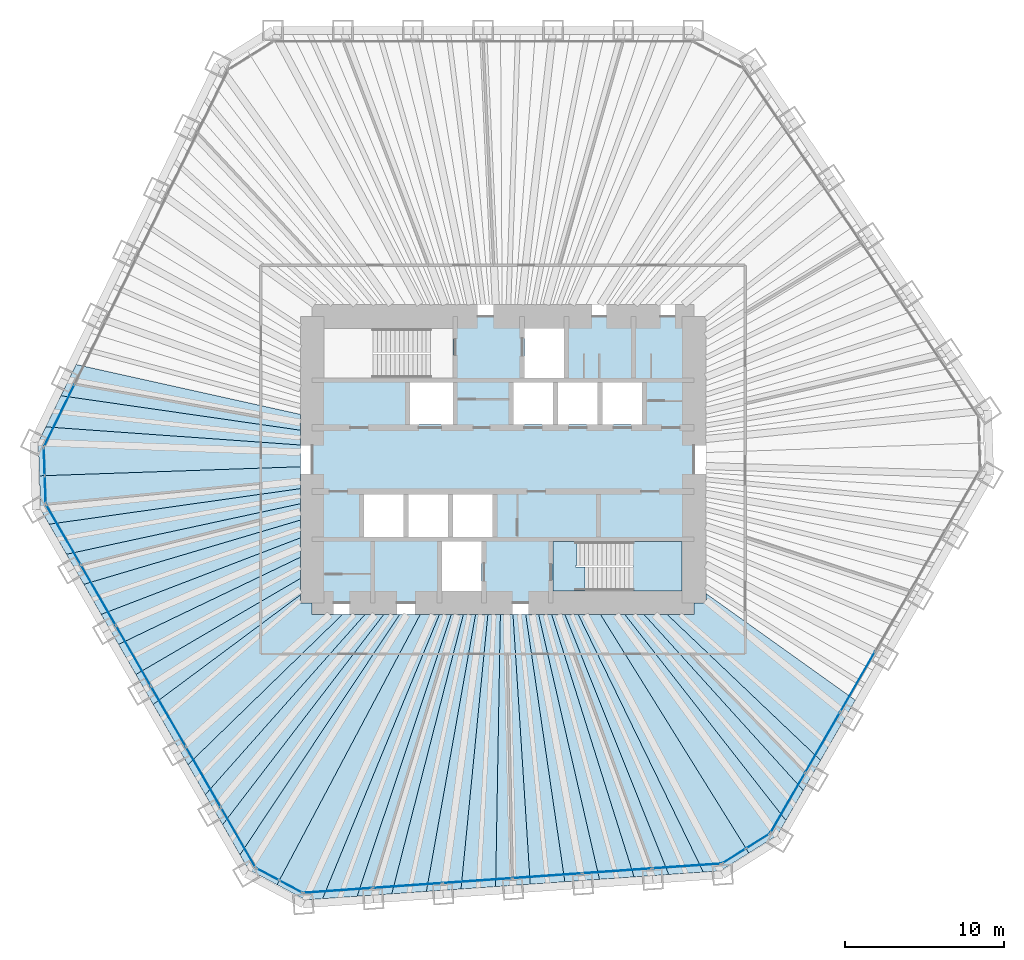
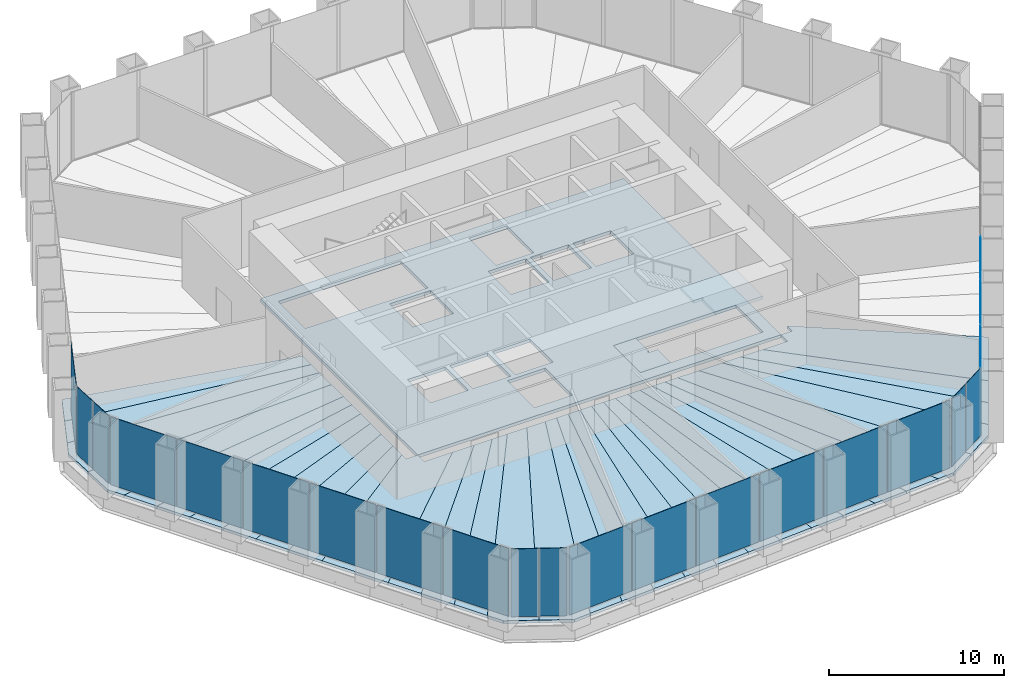
# One storey, part 8 of 13: 35 slabs, 22 plates, 8 elements without a shape of their own.
"""IFC4 building model written with IfcOpenShell, lengths in metres."""

import ifcopenshell
import ifcopenshell.guid

model = None  # the IFC model being written
_history = None  # IfcOwnerHistory: only IFC2X3 demands one
_inside = {}  # id of a spatial element -> (the spatial element, [elements in it])
_under = {}  # id of a project, library or spatial element -> (it, [spatial elements below it])
_declared = {}  # id of a project -> (the project, [libraries it declares])
_typed = {}  # id of a type object -> (the type object, [elements of that type])
_made_of = {}  # id of a material, layer set ... -> (it, [elements and type objects made of it])


def new_model(schema):
    """Start an empty IFC model of exactly this schema.

    Asked for "IFC4X3", IfcOpenShell would pick the latest addendum, in which some entities
    have other attributes; the version numbers below select the first issue.
    IFC2X3 requires an IfcOwnerHistory on every rooted entity: one is made here for all.
    """
    global model, _history
    if schema == "IFC4X3":
        model = ifcopenshell.file(schema_version=(4, 3, 0, 0))
    else:
        model = ifcopenshell.file(schema=schema)
    _inside.clear()
    _under.clear()
    _declared.clear()
    _typed.clear()
    _made_of.clear()
    _history = None
    if model.schema == "IFC2X3":
        org = make("IfcOrganization", Name="unknown")
        user = make(
            "IfcPersonAndOrganization",
            ThePerson=make("IfcPerson", FamilyName="unknown"),
            TheOrganization=org,
        )
        app = make(
            "IfcApplication",
            ApplicationDeveloper=org,
            Version="unknown",
            ApplicationFullName="unknown",
            ApplicationIdentifier="unknown",
        )
        _history = make(
            "IfcOwnerHistory",
            OwningUser=user,
            OwningApplication=app,
            ChangeAction="ADDED",
            CreationDate=0,
        )
    return model


def make(cls, **values):
    """One entity of the class cls with the attributes given. An attribute that is None is left unset."""
    return model.create_entity(
        cls, **{name: value for name, value in values.items() if value is not None}
    )


def rooted(cls, **values):
    """An entity with a GlobalId (a new one), such as an element, a storey or a relation."""
    return make(cls, GlobalId=ifcopenshell.guid.new(), OwnerHistory=_history, **values)


def si_unit(unit_type, name, prefix=None):
    """IfcSIUnit, for example si_unit("LENGTHUNIT", "METRE", prefix="MILLI")."""
    return make("IfcSIUnit", UnitType=unit_type, Prefix=prefix, Name=name)


def assignment(units):
    """IfcUnitAssignment: the units of a project."""
    return None if units is None else make("IfcUnitAssignment", Units=units)


def point(xyz):
    """IfcCartesianPoint."""
    return None if xyz is None else make("IfcCartesianPoint", Coordinates=xyz)


def direction(xyz):
    """IfcDirection."""
    return None if xyz is None else make("IfcDirection", DirectionRatios=xyz)


def frame(location, z_axis=None, x_axis=None):
    """IfcAxis2Placement3D, a coordinate frame: its origin and axes. An axis left out is left unset."""
    return make(
        "IfcAxis2Placement3D",
        Location=point(location),
        Axis=direction(z_axis),
        RefDirection=direction(x_axis),
    )


def frame_2d(location, x_axis=None):
    """IfcAxis2Placement2D, a coordinate frame in the plane: its origin and x axis."""
    return make(
        "IfcAxis2Placement2D", Location=point(location), RefDirection=direction(x_axis)
    )


def origin():
    """The frame at (0, 0, 0) with its axes left unset."""
    return frame((0.0, 0.0, 0.0))


def origin_2d():
    """The frame at (0, 0) in the plane with its x axis left unset."""
    return frame_2d((0.0, 0.0))


def place(relative_to, where):
    """IfcLocalPlacement: puts the frame where relative to a parent placement (None: the world)."""
    return make(
        "IfcLocalPlacement", PlacementRelTo=relative_to, RelativePlacement=where
    )


def context(
    kind, dimensions, precision=None, world=None, true_north=None, identifier=None
):
    """IfcGeometricRepresentationContext, for example the 3D "Model" context."""
    return make(
        "IfcGeometricRepresentationContext",
        ContextIdentifier=identifier,
        ContextType=kind,
        CoordinateSpaceDimension=dimensions,
        Precision=precision,
        WorldCoordinateSystem=world,
        TrueNorth=true_north,
    )


def subcontext(parent, identifier, kind, view, scale=None):
    """IfcGeometricRepresentationSubContext, for example "Body" below "Model"."""
    return make(
        "IfcGeometricRepresentationSubContext",
        ContextIdentifier=identifier,
        ContextType=kind,
        ParentContext=parent,
        TargetScale=scale,
        TargetView=view,
    )


def project(units=None, contexts=None):
    """IfcProject with its units and contexts."""
    return rooted(
        "IfcProject",
        Name="project",
        RepresentationContexts=contexts,
        UnitsInContext=assignment(units),
    )


def spatial(cls, under=None, at=None, **own):
    """A site, building, storey or space (cls), placed at a placement, below another one or the project."""
    s = rooted(cls, ObjectPlacement=at, **own)
    if under is not None:
        _under.setdefault(under.id(), (under, []))[1].append(s)
    return s


def polyline(points):
    """IfcPolyline through the points."""
    return make("IfcPolyline", Points=[point(p) for p in points])


def profile(cls, at=None, kind="AREA", **sizes):
    """A parametric profile (cls). Its sizes go by their IFC names, for example OverallWidth=200.0."""
    return make(cls, ProfileType=kind, Position=at, **sizes)


def rectangle(**sizes):
    """IfcRectangleProfileDef."""
    return profile("IfcRectangleProfileDef", **sizes)


def outline(outer, holes=None, kind="AREA"):
    """IfcArbitraryClosedProfileDef: a profile drawn as a closed curve; with holes, ...WithVoids."""
    if holes is None:
        return make("IfcArbitraryClosedProfileDef", ProfileType=kind, OuterCurve=outer)
    return make(
        "IfcArbitraryProfileDefWithVoids",
        ProfileType=kind,
        OuterCurve=outer,
        InnerCurves=holes,
    )


def extrude(swept, where, along, depth):
    """IfcExtrudedAreaSolid: the profile swept, set in the frame where, extruded along a direction by depth."""
    return make(
        "IfcExtrudedAreaSolid",
        SweptArea=swept,
        Position=where,
        ExtrudedDirection=direction(along),
        Depth=depth,
    )


def shape(context_of_items, identifier, shape_type, items):
    """IfcShapeRepresentation: the items that make up one representation, for example the "Body"."""
    return make(
        "IfcShapeRepresentation",
        ContextOfItems=context_of_items,
        RepresentationIdentifier=identifier,
        RepresentationType=shape_type,
        Items=items,
    )


def material(Name=None, Category=None):
    """IfcMaterial."""
    return make("IfcMaterial", Name=Name, Category=Category)


def layer(
    of_material, thickness, ventilated=None, Name=None, Category=None, Priority=None
):
    """IfcMaterialLayer: one layer of a wall or slab, of a material (None: an air gap)."""
    return make(
        "IfcMaterialLayer",
        Material=of_material,
        LayerThickness=thickness,
        IsVentilated=ventilated,
        Name=Name,
        Category=Category,
        Priority=Priority,
    )


def layer_set(layers, Name=None):
    """IfcMaterialLayerSet."""
    return make("IfcMaterialLayerSet", MaterialLayers=layers, LayerSetName=Name)


def made_of(thing, what):
    """Note that an element or type object is made of a material, layer set ...; save() writes the relation."""
    if what is not None:
        _made_of.setdefault(what.id(), (what, []))[1].append(thing)
    return thing


def type_object(cls, material=None, **own):
    """A type object (cls), such as IfcWallType, which elements share."""
    return made_of(rooted(cls, **own), material)


def element(
    cls,
    number,
    at=None,
    inside=None,
    cuts=None,
    type_object=None,
    material=None,
    context=None,
    identifier="Body",
    shape_type=None,
    held_by="IfcProductDefinitionShape",
    body=None,
    shapes=None,
    **own,
):
    """One element of the class cls, such as IfcWall. Its Tag is "e" and its number.

    at: its placement. inside: the storey or other place that contains it. cuts: it is an
    opening in that element (IfcRelVoidsElement). A single representation is given by context,
    identifier, shape_type and body (its items); several are given by shapes. held_by: the class
    of the entity that holds the representations. save() writes the other relations.
    """
    e = rooted(cls, Tag="e%d" % number, ObjectPlacement=at, **own)
    if body is not None:
        shapes = [shape(context, identifier, shape_type, body)]
    if shapes is not None:
        e.Representation = make(held_by, Representations=shapes)
    if inside is not None:
        _inside.setdefault(inside.id(), (inside, []))[1].append(e)
    if cuts is not None:
        rooted(
            "IfcRelVoidsElement", RelatingBuildingElement=cuts, RelatedOpeningElement=e
        )
    if type_object is not None:
        _typed.setdefault(type_object.id(), (type_object, []))[1].append(e)
    return made_of(e, material)


def aggregate(whole, parts):
    """IfcRelAggregates: a whole, such as a stair, and the parts it consists of."""
    return rooted("IfcRelAggregates", RelatingObject=whole, RelatedObjects=parts)


def save(model, path):
    """Write the relations noted so far, then the file.

    IfcRelAggregates (storeys below a building ...), IfcRelContainedInSpatialStructure (elements
    in a storey), IfcRelDefinesByType, IfcRelAssociatesMaterial and IfcRelDeclares: one each for
    every whole, place, type object, material and project.
    """
    for whole, parts in _under.values():
        aggregate(whole, parts)
    for where, things in _inside.values():
        rooted(
            "IfcRelContainedInSpatialStructure",
            RelatedElements=things,
            RelatingStructure=where,
        )
    for kind, things in _typed.values():
        rooted("IfcRelDefinesByType", RelatedObjects=things, RelatingType=kind)
    for what, things in _made_of.values():
        rooted("IfcRelAssociatesMaterial", RelatedObjects=things, RelatingMaterial=what)
    for by, libraries in _declared.values():
        rooted("IfcRelDeclares", RelatingContext=by, RelatedDefinitions=libraries)
    model.write(path)


model = new_model("IFC4")

# Units and contexts
model_context = context("Model", 3, precision=1e-05, world=origin(), true_north=direction((0.0, 1.0)))
body_context = subcontext(model_context, "Body", "Model", "MODEL_VIEW")
ifc_project = project(units=[si_unit("LENGTHUNIT", "METRE"), si_unit("AREAUNIT", "SQUARE_METRE"), si_unit("VOLUMEUNIT", "CUBIC_METRE"), si_unit("PLANEANGLEUNIT", "RADIAN"), si_unit("MASSUNIT", "GRAM", prefix="KILO")], contexts=[model_context])

# Site, building, storey
site_placement = place(None, origin())
site = spatial("IfcSite", under=ifc_project, at=site_placement, CompositionType="ELEMENT")
building_placement = place(site_placement, origin())
building = spatial("IfcBuilding", under=site, at=building_placement, Name="Qingtian Harvest Tower", CompositionType="ELEMENT")
storey_placement = place(building_placement, frame((0.0, 0.0, 27.0)))
storey = spatial("IfcBuildingStorey", under=building, at=storey_placement, Name="L05", CompositionType="ELEMENT", Elevation=27.0)

# Slabs
ifc_material_1 = material(Name="Concrete fc' 35 MPa", Category="concrete")
ifc_layer_1 = layer(ifc_material_1, 0.199951171875)
ifc_layer_set_1 = layer_set([ifc_layer_1], Name="Composite floor slab FS20 200")
slab_type_1 = type_object("IfcSlabType", Name="Composite floor slab FS20 200", PredefinedType="FLOOR", material=ifc_layer_set_1)
slab_1_placement = place(storey_placement, frame((0.0, 0.0, -0.199951171875)))
element("IfcSlab", 1, at=slab_1_placement, inside=storey, type_object=slab_type_1, Name="Floor slab L05 panel D01", PredefinedType="FLOOR", context=body_context, shape_type="SweptSolid", body=[
    extrude(outline(polyline([(-29.157470703125, -1.018310546875), (-12.75, -0.447509765625), (-12.75, -1.822998046875), (-28.548583984375, -4.062255859375), (-29.08349609375, -3.135986328125), (-29.157470703125, -1.018310546875)])), origin(), (0.0, 0.0, 1.0), 0.199951171875),
])
slab_2_placement = place(storey_placement, frame((0.0, 0.0, -0.199951171875)))
element("IfcSlab", 2, at=slab_2_placement, inside=storey, type_object=slab_type_1, Name="Floor slab L05 panel D02", PredefinedType="FLOOR", context=body_context, shape_type="SweptSolid", body=[
    extrude(outline(polyline([(-12.75, -2.773681640625), (-27.45751953125, -5.9521484375), (-28.548583984375, -4.062255859375), (-12.75, -1.822998046875), (-12.75, -2.773681640625)])), origin(), (0.0, 0.0, 1.0), 0.199951171875),
])
slab_3_placement = place(storey_placement, frame((0.0, 0.0, -0.199951171875)))
element("IfcSlab", 3, at=slab_3_placement, inside=storey, type_object=slab_type_1, Name="Floor slab L05 panel D03", PredefinedType="FLOOR", context=body_context, shape_type="SweptSolid", body=[
    extrude(outline(polyline([(-12.75, -3.80322265625), (-26.366455078125, -7.842041015625), (-27.45751953125, -5.9521484375), (-12.75, -2.773681640625), (-12.75, -3.80322265625)])), origin(), (0.0, 0.0, 1.0), 0.199951171875),
])
slab_4_placement = place(storey_placement, frame((0.0, 0.0, -0.199951171875)))
element("IfcSlab", 4, at=slab_4_placement, inside=storey, type_object=slab_type_1, Name="Floor slab L05 panel D04", PredefinedType="FLOOR", context=body_context, shape_type="SweptSolid", body=[
    extrude(outline(polyline([(-12.75, -4.921875), (-25.275146484375, -9.732177734375), (-26.366455078125, -7.842041015625), (-12.75, -3.80322265625), (-12.75, -4.921875)])), origin(), (0.0, 0.0, 1.0), 0.199951171875),
])
slab_5_placement = place(storey_placement, frame((0.0, 0.0, -0.199951171875)))
element("IfcSlab", 5, at=slab_5_placement, inside=storey, type_object=slab_type_1, Name="Floor slab L05 panel D05", PredefinedType="FLOOR", context=body_context, shape_type="SweptSolid", body=[
    extrude(outline(polyline([(-12.75, -6.141357421875), (-24.18408203125, -11.6220703125), (-25.275146484375, -9.732177734375), (-12.75, -4.921875), (-12.75, -6.141357421875)])), origin(), (0.0, 0.0, 1.0), 0.199951171875),
])
slab_6_placement = place(storey_placement, frame((0.0, 0.0, -0.199951171875)))
element("IfcSlab", 6, at=slab_6_placement, inside=storey, type_object=slab_type_1, Name="Floor slab L05 panel D06", PredefinedType="FLOOR", context=body_context, shape_type="SweptSolid", body=[
    extrude(outline(polyline([(-12.75, -7.4765625), (-23.0927734375, -13.511962890625), (-24.18408203125, -11.6220703125), (-12.75, -6.141357421875), (-12.75, -7.4765625)])), origin(), (0.0, 0.0, 1.0), 0.199951171875),
])
slab_7_placement = place(storey_placement, frame((0.0, 0.0, -0.199951171875)))
element("IfcSlab", 7, at=slab_7_placement, inside=storey, type_object=slab_type_1, Name="Floor slab L05 panel D07", PredefinedType="FLOOR", context=body_context, shape_type="SweptSolid", body=[
    extrude(outline(polyline([(-12.75, -8.512451171875), (-22.00537109375, -15.3955078125), (-23.0927734375, -13.511962890625), (-12.75, -7.4765625), (-12.75, -8.512451171875)])), origin(), (0.0, 0.0, 1.0), 0.199951171875),
])
slab_8_placement = place(storey_placement, frame((0.0, 0.0, -0.199951171875)))
element("IfcSlab", 8, at=slab_8_placement, inside=storey, type_object=slab_type_1, Name="Floor slab L05 panel D09", PredefinedType="FLOOR", context=body_context, shape_type="SweptSolid", body=[
    extrude(outline(polyline([(-19.81982421875, -19.18115234375), (-22.00537109375, -15.3955078125), (-12.75, -8.512451171875), (-12.75, -9.0), (-12.0, -9.0), (-12.0, -9.75), (-10.1123046875, -9.75), (-19.81982421875, -19.18115234375)])), origin(), (0.0, 0.0, 1.0), 0.199951171875),
])
slab_9_placement = place(storey_placement, frame((0.0, 0.0, -0.199951171875)))
element("IfcSlab", 9, at=slab_9_placement, inside=storey, type_object=slab_type_1, Name="Floor slab L05 panel D10", PredefinedType="FLOOR", context=body_context, shape_type="SweptSolid", body=[
    extrude(outline(polyline([(-8.694580078125, -9.75), (-18.728515625, -21.0712890625), (-19.81982421875, -19.18115234375), (-10.1123046875, -9.75), (-8.694580078125, -9.75)])), origin(), (0.0, 0.0, 1.0), 0.199951171875),
])
slab_10_placement = place(storey_placement, frame((0.0, 0.0, -0.199951171875)))
element("IfcSlab", 10, at=slab_10_placement, inside=storey, type_object=slab_type_1, Name="Floor slab L05 panel D11", PredefinedType="FLOOR", context=body_context, shape_type="SweptSolid", body=[
    extrude(outline(polyline([(-7.511474609375, -9.75), (-17.63720703125, -22.961181640625), (-18.728515625, -21.0712890625), (-8.694580078125, -9.75), (-7.511474609375, -9.75)])), origin(), (0.0, 0.0, 1.0), 0.199951171875),
])
slab_11_placement = place(storey_placement, frame((0.0, 0.0, -0.199951171875)))
element("IfcSlab", 11, at=slab_11_placement, inside=storey, type_object=slab_type_1, Name="Floor slab L05 panel D12", PredefinedType="FLOOR", context=body_context, shape_type="SweptSolid", body=[
    extrude(outline(polyline([(-6.509033203125, -9.75), (-16.546142578125, -24.851318359375), (-17.63720703125, -22.961181640625), (-7.511474609375, -9.75), (-6.509033203125, -9.75)])), origin(), (0.0, 0.0, 1.0), 0.199951171875),
])
slab_12_placement = place(storey_placement, frame((0.0, 0.0, -0.199951171875)))
element("IfcSlab", 12, at=slab_12_placement, inside=storey, type_object=slab_type_1, Name="Floor slab L05 panel D13", PredefinedType="FLOOR", context=body_context, shape_type="SweptSolid", body=[
    extrude(outline(polyline([(-6.509033203125, -9.75), (-5.213623046875, -9.75), (-14.214599609375, -26.73291015625), (-16.01123046875, -25.777587890625), (-16.546142578125, -24.851318359375), (-6.509033203125, -9.75)])), origin(), (0.0, 0.0, 1.0), 0.199951171875),
])
slab_13_placement = place(storey_placement, frame((0.0, 0.0, -0.199951171875)))
element("IfcSlab", 13, at=slab_13_placement, inside=storey, type_object=slab_type_1, Name="Floor slab L05 panel D14", PredefinedType="FLOOR", context=body_context, shape_type="SweptSolid", body=[
    extrude(outline(polyline([(-5.213623046875, -9.75), (-4.006591796875, -9.75), (-11.350341796875, -27.614013671875), (-12.417236328125, -27.688720703125), (-14.214599609375, -26.73291015625), (-5.213623046875, -9.75)])), origin(), (0.0, 0.0, 1.0), 0.199951171875),
])
slab_14_placement = place(storey_placement, frame((0.0, 0.0, -0.199951171875)))
element("IfcSlab", 14, at=slab_14_placement, inside=storey, type_object=slab_type_1, Name="Floor slab L05 panel D15", PredefinedType="FLOOR", context=body_context, shape_type="SweptSolid", body=[
    extrude(outline(polyline([(-3.255859375, -9.75), (-9.17333984375, -27.4619140625), (-11.350341796875, -27.614013671875), (-4.006591796875, -9.75), (-3.255859375, -9.75)])), origin(), (0.0, 0.0, 1.0), 0.199951171875),
])
slab_15_placement = place(storey_placement, frame((0.0, 0.0, -0.199951171875)))
element("IfcSlab", 15, at=slab_15_placement, inside=storey, type_object=slab_type_1, Name="Floor slab L05 panel D16", PredefinedType="FLOOR", context=body_context, shape_type="SweptSolid", body=[
    extrude(outline(polyline([(-2.496826171875, -9.75), (-6.996337890625, -27.3095703125), (-9.17333984375, -27.4619140625), (-3.255859375, -9.75), (-2.496826171875, -9.75)])), origin(), (0.0, 0.0, 1.0), 0.199951171875),
])
slab_16_placement = place(storey_placement, frame((0.0, 0.0, -0.199951171875)))
element("IfcSlab", 16, at=slab_16_placement, inside=storey, type_object=slab_type_1, Name="Floor slab L05 panel D17", PredefinedType="FLOOR", context=body_context, shape_type="SweptSolid", body=[
    extrude(outline(polyline([(-1.729248046875, -9.75), (-4.8193359375, -27.1572265625), (-6.996337890625, -27.3095703125), (-2.496826171875, -9.75), (-1.729248046875, -9.75)])), origin(), (0.0, 0.0, 1.0), 0.199951171875),
])
slab_17_placement = place(storey_placement, frame((0.0, 0.0, -0.199951171875)))
element("IfcSlab", 17, at=slab_17_placement, inside=storey, type_object=slab_type_1, Name="Floor slab L05 panel D18", PredefinedType="FLOOR", context=body_context, shape_type="SweptSolid", body=[
    extrude(outline(polyline([(-0.952880859375, -9.75), (-2.642333984375, -27.005126953125), (-4.8193359375, -27.1572265625), (-1.729248046875, -9.75), (-0.952880859375, -9.75)])), origin(), (0.0, 0.0, 1.0), 0.199951171875),
])
slab_18_placement = place(storey_placement, frame((0.0, 0.0, -0.199951171875)))
element("IfcSlab", 18, at=slab_18_placement, inside=storey, type_object=slab_type_1, Name="Floor slab L05 panel D19", PredefinedType="FLOOR", context=body_context, shape_type="SweptSolid", body=[
    extrude(outline(polyline([(-0.16796875, -9.75), (-0.46533203125, -26.852783203125), (-2.642333984375, -27.005126953125), (-0.952880859375, -9.75), (-0.16796875, -9.75)])), origin(), (0.0, 0.0, 1.0), 0.199951171875),
])
slab_19_placement = place(storey_placement, frame((0.0, 0.0, -0.199951171875)))
element("IfcSlab", 19, at=slab_19_placement, inside=storey, type_object=slab_type_1, Name="Floor slab L05 panel D20", PredefinedType="FLOOR", context=body_context, shape_type="SweptSolid", body=[
    extrude(outline(polyline([(0.626220703125, -9.75), (1.711669921875, -26.70068359375), (-0.46533203125, -26.852783203125), (-0.16796875, -9.75), (0.626220703125, -9.75)])), origin(), (0.0, 0.0, 1.0), 0.199951171875),
])
slab_20_placement = place(storey_placement, frame((0.0, 0.0, -0.199951171875)))
element("IfcSlab", 20, at=slab_20_placement, inside=storey, type_object=slab_type_1, Name="Floor slab L05 panel D21", PredefinedType="FLOOR", context=body_context, shape_type="SweptSolid", body=[
    extrude(outline(polyline([(1.42919921875, -9.75), (3.888671875, -26.54833984375), (1.711669921875, -26.70068359375), (0.626220703125, -9.75), (1.42919921875, -9.75)])), origin(), (0.0, 0.0, 1.0), 0.199951171875),
])
slab_21_placement = place(storey_placement, frame((0.0, 0.0, -0.199951171875)))
element("IfcSlab", 21, at=slab_21_placement, inside=storey, type_object=slab_type_1, Name="Floor slab L05 panel D22", PredefinedType="FLOOR", context=body_context, shape_type="SweptSolid", body=[
    extrude(outline(polyline([(2.24169921875, -9.75), (6.065673828125, -26.396240234375), (3.888671875, -26.54833984375), (1.42919921875, -9.75), (2.24169921875, -9.75)])), origin(), (0.0, 0.0, 1.0), 0.199951171875),
])
slab_22_placement = place(storey_placement, frame((0.0, 0.0, -0.199951171875)))
element("IfcSlab", 22, at=slab_22_placement, inside=storey, type_object=slab_type_1, Name="Floor slab L05 panel D23", PredefinedType="FLOOR", context=body_context, shape_type="SweptSolid", body=[
    extrude(outline(polyline([(3.0634765625, -9.75), (8.24267578125, -26.243896484375), (6.065673828125, -26.396240234375), (2.24169921875, -9.75), (3.0634765625, -9.75)])), origin(), (0.0, 0.0, 1.0), 0.199951171875),
])
slab_23_placement = place(storey_placement, frame((0.0, 0.0, -0.199951171875)))
element("IfcSlab", 23, at=slab_23_placement, inside=storey, type_object=slab_type_1, Name="Floor slab L05 panel D24", PredefinedType="FLOOR", context=body_context, shape_type="SweptSolid", body=[
    extrude(outline(polyline([(3.894775390625, -9.75), (10.419677734375, -26.091796875), (8.24267578125, -26.243896484375), (3.0634765625, -9.75), (3.894775390625, -9.75)])), origin(), (0.0, 0.0, 1.0), 0.199951171875),
])
slab_24_placement = place(storey_placement, frame((0.0, 0.0, -0.199951171875)))
element("IfcSlab", 24, at=slab_24_placement, inside=storey, type_object=slab_type_1, Name="Floor slab L05 panel D25", PredefinedType="FLOOR", context=body_context, shape_type="SweptSolid", body=[
    extrude(outline(polyline([(4.736083984375, -9.75), (12.5966796875, -25.939453125), (10.419677734375, -26.091796875), (3.894775390625, -9.75), (4.736083984375, -9.75)])), origin(), (0.0, 0.0, 1.0), 0.199951171875),
])
slab_25_placement = place(storey_placement, frame((0.0, 0.0, -0.199951171875)))
element("IfcSlab", 25, at=slab_25_placement, inside=storey, type_object=slab_type_1, Name="Floor slab L05 panel D26", PredefinedType="FLOOR", context=body_context, shape_type="SweptSolid", body=[
    extrude(outline(polyline([(4.736083984375, -9.75), (6.136474609375, -9.75), (15.4609375, -24.74169921875), (13.663330078125, -25.864990234375), (12.5966796875, -25.939453125), (4.736083984375, -9.75)])), origin(), (0.0, 0.0, 1.0), 0.199951171875),
])
slab_26_placement = place(storey_placement, frame((0.0, 0.0, -0.199951171875)))
element("IfcSlab", 26, at=slab_26_placement, inside=storey, type_object=slab_type_1, Name="Floor slab L05 panel D27", PredefinedType="FLOOR", context=body_context, shape_type="SweptSolid", body=[
    extrude(outline(polyline([(6.136474609375, -9.75), (7.66748046875, -9.75), (17.79248046875, -22.692626953125), (17.257568359375, -23.618896484375), (15.4609375, -24.74169921875), (6.136474609375, -9.75)])), origin(), (0.0, 0.0, 1.0), 0.199951171875),
])
slab_27_placement = place(storey_placement, frame((0.0, 0.0, -0.199951171875)))
element("IfcSlab", 27, at=slab_27_placement, inside=storey, type_object=slab_type_1, Name="Floor slab L05 panel D28", PredefinedType="FLOOR", context=body_context, shape_type="SweptSolid", body=[
    extrude(outline(polyline([(8.88037109375, -9.75), (18.883544921875, -20.802734375), (17.79248046875, -22.692626953125), (7.66748046875, -9.75), (8.88037109375, -9.75)])), origin(), (0.0, 0.0, 1.0), 0.199951171875),
])
slab_28_placement = place(storey_placement, frame((0.0, 0.0, -0.199951171875)))
element("IfcSlab", 28, at=slab_28_placement, inside=storey, type_object=slab_type_1, Name="Floor slab L05 panel D29", PredefinedType="FLOOR", context=body_context, shape_type="SweptSolid", body=[
    extrude(outline(polyline([(10.337158203125, -9.75), (19.974853515625, -18.91259765625), (18.883544921875, -20.802734375), (8.88037109375, -9.75), (10.337158203125, -9.75)])), origin(), (0.0, 0.0, 1.0), 0.199951171875),
])
slab_29_placement = place(storey_placement, frame((0.0, 0.0, -0.199951171875)))
element("IfcSlab", 29, at=slab_29_placement, inside=storey, type_object=slab_type_1, Name="Floor slab L05 panel D31", PredefinedType="FLOOR", context=body_context, shape_type="SweptSolid", body=[
    extrude(outline(polyline([(12.75, -8.4091796875), (22.159423828125, -15.128662109375), (19.974853515625, -18.91259765625), (10.337158203125, -9.75), (12.0, -9.75), (12.0, -9.0), (12.75, -9.0), (12.75, -8.4091796875)])), origin(), (0.0, 0.0, 1.0), 0.199951171875),
])
slab_30_placement = place(storey_placement, frame((0.0, 0.0, -0.199951171875)))
element("IfcSlab", 30, at=slab_30_placement, inside=storey, type_object=slab_type_1, Name="Floor slab L05 panel D76", PredefinedType="FLOOR", context=body_context, shape_type="SweptSolid", body=[
    extrude(outline(polyline([(-12.75, 1.8525390625), (-27.805908203125, 4.022216796875), (-26.84912109375, 5.98388671875), (-12.75, 2.8505859375), (-12.75, 1.8525390625)])), origin(), (0.0, 0.0, 1.0), 0.199951171875),
])
slab_31_placement = place(storey_placement, frame((0.0, 0.0, -0.199951171875)))
element("IfcSlab", 31, at=slab_31_placement, inside=storey, type_object=slab_type_1, Name="Floor slab L05 panel D77", PredefinedType="FLOOR", context=body_context, shape_type="SweptSolid", body=[
    extrude(outline(polyline([(-12.75, 0.9208984375), (-28.762451171875, 2.060791015625), (-27.805908203125, 4.022216796875), (-12.75, 1.8525390625), (-12.75, 0.9208984375)])), origin(), (0.0, 0.0, 1.0), 0.199951171875),
])
slab_32_placement = place(storey_placement, frame((0.0, 0.0, -0.199951171875)))
element("IfcSlab", 32, at=slab_32_placement, inside=storey, type_object=slab_type_1, Name="Floor slab L05 panel D78", PredefinedType="FLOOR", context=body_context, shape_type="SweptSolid", body=[
    extrude(outline(polyline([(-12.75, 0.9208984375), (-12.75, -0.447509765625), (-29.157470703125, -1.018310546875), (-29.2314453125, 1.099609375), (-28.762451171875, 2.060791015625), (-12.75, 0.9208984375)])), origin(), (0.0, 0.0, 1.0), 0.199951171875),
])
ifc_material_2 = material(Name="Concrete fc' 35 MPa", Category="concrete")
ifc_layer_2 = layer(ifc_material_2, 0.219970703125)
ifc_layer_set_2 = layer_set([ifc_layer_2], Name="Core floor slab CS22 220")
slab_type_2 = type_object("IfcSlabType", Name="Core floor slab CS22 220", PredefinedType="FLOOR", material=ifc_layer_set_2)
slab_33_placement = place(storey_placement, frame((0.0, 0.0, -0.219970703125)))
element("IfcSlab", 33, at=slab_33_placement, inside=storey, type_object=slab_type_2, Name="Core floor slab L05", PredefinedType="FLOOR", context=body_context, shape_type="SweptSolid", body=[
    extrude(outline(polyline([(-12.0, -9.0), (12.0, -9.0), (12.0, 9.0), (-12.0, 9.0), (-12.0, -9.0)]), holes=[polyline([(-11.25, 5.14990234375), (-3.14990234375, 5.14990234375), (-3.14990234375, 8.25), (-11.25, 8.25), (-11.25, 5.14990234375)]), polyline([(3.14990234375, -8.25), (11.25, -8.25), (11.25, -5.14990234375), (3.14990234375, -5.14990234375), (3.14990234375, -8.25)]), polyline([(1.35009765625, 5.14990234375), (3.85009765625, 5.14990234375), (3.85009765625, 8.25), (1.35009765625, 8.25), (1.35009765625, 5.14990234375)]), polyline([(-3.85009765625, -8.25), (-1.35009765625, -8.25), (-1.35009765625, -5.14990234375), (-3.85009765625, -5.14990234375), (-3.85009765625, -8.25)]), polyline([(-5.85009765625, 2.199951171875), (-3.14990234375, 2.199951171875), (-3.14990234375, 4.85009765625), (-5.85009765625, 4.85009765625), (-5.85009765625, 2.199951171875)]), polyline([(0.64990234375, 2.199951171875), (3.14990234375, 2.199951171875), (3.14990234375, 4.85009765625), (0.64990234375, 4.85009765625), (0.64990234375, 2.199951171875)]), polyline([(3.449951171875, 2.199951171875), (5.949951171875, 2.199951171875), (5.949951171875, 4.85009765625), (3.449951171875, 4.85009765625), (3.449951171875, 2.199951171875)]), polyline([(6.25, 2.199951171875), (8.75, 2.199951171875), (8.75, 4.85009765625), (6.25, 4.85009765625), (6.25, 2.199951171875)]), polyline([(-8.75, -4.85009765625), (-6.25, -4.85009765625), (-6.25, -2.199951171875), (-8.75, -2.199951171875), (-8.75, -4.85009765625)]), polyline([(-5.949951171875, -4.85009765625), (-3.449951171875, -4.85009765625), (-3.449951171875, -2.199951171875), (-5.949951171875, -2.199951171875), (-5.949951171875, -4.85009765625)]), polyline([(-3.14990234375, -4.85009765625), (-0.64990234375, -4.85009765625), (-0.64990234375, -2.199951171875), (-3.14990234375, -2.199951171875), (-3.14990234375, -4.85009765625)])]), origin(), (0.0, 0.0, 1.0), 0.219970703125),
])

# Curtain wall, plates
ifc_material_3 = material(Name="Bronze-anodised aluminium curtain wall", Category="aluminium")
curtain_wall_type = type_object("IfcCurtainWallType", Name="Curtain wall CW2 farm reception", PredefinedType="USERDEFINED", material=ifc_material_3)
curtain_wall_1_placement = place(storey_placement, origin())
curtain_wall_1 = element("IfcCurtainWall", 34, at=curtain_wall_1_placement, inside=storey, type_object=curtain_wall_type, Name="Curtain wall CW2 L05 SE0-5", ObjectType="RECESSED CURTAIN WALL", PredefinedType="USERDEFINED")
ifc_material_4 = material(Name="Bronze-tinted laminated insulating glass", Category="glass")
ifc_layer_3 = layer(ifc_material_4, 0.030029296875)
ifc_layer_set_3 = layer_set([ifc_layer_3], Name="Glazed panel CWP tinted IGU")
plate_type = type_object("IfcPlateType", Name="Glazed panel CWP tinted IGU", PredefinedType="CURTAIN_PANEL", material=ifc_layer_set_3)
plate_1_placement = place(storey_placement, frame((22.30419921875, -13.968017578125, 0.06494140625), z_axis=(0.0, 0.0, 1.0), x_axis=(-0.5, -0.866025403784, 0.0)))
plate_1 = element("IfcPlate", 35, at=plate_1_placement, type_object=plate_type, Name="CW2 panel 4.1", PredefinedType="CURTAIN_PANEL", context=body_context, shape_type="SweptSolid", body=[
    extrude(rectangle(XDim=4.339599609375, YDim=0.030029296875, at=origin_2d()), origin(), (0.0, 0.0, 1.0), 4.735107421875),
])
plate_2_placement = place(storey_placement, frame((20.101806640625, -17.782470703125, 0.06494140625), z_axis=(0.0, 0.0, 1.0), x_axis=(-0.5, -0.866025403784, 0.0)))
plate_2 = element("IfcPlate", 36, at=plate_2_placement, type_object=plate_type, Name="CW2 panel 5.1", PredefinedType="CURTAIN_PANEL", context=body_context, shape_type="SweptSolid", body=[
    extrude(rectangle(XDim=4.339599609375, YDim=0.030029296875, at=origin_2d()), origin(), (0.0, 0.0, 1.0), 4.735107421875),
])
plate_3_placement = place(storey_placement, frame((17.90771484375, -21.5830078125, 0.06494140625), z_axis=(0.0, 0.0, 1.0), x_axis=(-0.5, -0.866025403784, 0.0)))
plate_3 = element("IfcPlate", 37, at=plate_3_placement, type_object=plate_type, Name="CW2 panel 6.1", PredefinedType="CURTAIN_PANEL", context=body_context, shape_type="SweptSolid", body=[
    extrude(rectangle(XDim=4.30712890625, YDim=0.030029296875, at=origin_2d()), origin(), (0.0, 0.0, 1.0), 4.735107421875),
])
aggregate(curtain_wall_1, [plate_1, plate_2, plate_3])

curtain_wall_2_placement = place(storey_placement, origin())
curtain_wall_2 = element("IfcCurtainWall", 38, at=curtain_wall_2_placement, inside=storey, type_object=curtain_wall_type, Name="Curtain wall CW2 L05 SEC", ObjectType="RECESSED CURTAIN WALL", PredefinedType="USERDEFINED")
plate_4_placement = place(storey_placement, frame((16.025390625, -23.9873046875, 0.06494140625), z_axis=(0.0, 0.0, 1.0), x_axis=(-0.848048096156, -0.529919264233, 0.0)))
plate_4 = element("IfcPlate", 39, at=plate_4_placement, type_object=plate_type, Name="CW2 panel 1.1", PredefinedType="CURTAIN_PANEL", context=body_context, shape_type="SweptSolid", body=[
    extrude(rectangle(XDim=1.69287109375, YDim=0.030029296875, at=origin_2d()), origin(), (0.0, 0.0, 1.0), 4.735107421875),
])
plate_5_placement = place(storey_placement, frame((14.53466796875, -24.9189453125, 0.06494140625), z_axis=(0.0, 0.0, 1.0), x_axis=(-0.848048096156, -0.529919264233, 0.0)))
plate_5 = element("IfcPlate", 40, at=plate_5_placement, type_object=plate_type, Name="CW2 panel 2.1", PredefinedType="CURTAIN_PANEL", context=body_context, shape_type="SweptSolid", body=[
    extrude(rectangle(XDim=1.69287109375, YDim=0.030029296875, at=origin_2d()), origin(), (0.0, 0.0, 1.0), 4.735107421875),
])
aggregate(curtain_wall_2, [plate_4, plate_5])

curtain_wall_3_placement = place(storey_placement, origin())
curtain_wall_3 = element("IfcCurtainWall", 41, at=curtain_wall_3_placement, inside=storey, type_object=curtain_wall_type, Name="Curtain wall CW2 L05 S0-5", ObjectType="RECESSED CURTAIN WALL", PredefinedType="USERDEFINED")
plate_6_placement = place(storey_placement, frame((11.548583984375, -25.556640625, 0.06494140625), z_axis=(0.0, 0.0, 1.0), x_axis=(-0.99756405026, -0.069756473744, 0.0)))
plate_6 = element("IfcPlate", 42, at=plate_6_placement, type_object=plate_type, Name="CW2 panel 1.1", PredefinedType="CURTAIN_PANEL", context=body_context, shape_type="SweptSolid", body=[
    extrude(rectangle(XDim=4.30712890625, YDim=0.030029296875, at=origin_2d()), origin(), (0.0, 0.0, 1.0), 4.735107421875),
])
plate_7_placement = place(storey_placement, frame((7.1708984375, -25.86279296875, 0.06494140625), z_axis=(0.0, 0.0, 1.0), x_axis=(-0.99756405026, -0.069756473744, 0.0)))
plate_7 = element("IfcPlate", 43, at=plate_7_placement, type_object=plate_type, Name="CW2 panel 2.1", PredefinedType="CURTAIN_PANEL", context=body_context, shape_type="SweptSolid", body=[
    extrude(rectangle(XDim=4.339599609375, YDim=0.030029296875, at=origin_2d()), origin(), (0.0, 0.0, 1.0), 4.735107421875),
])
plate_8_placement = place(storey_placement, frame((2.77685546875, -26.169921875, 0.06494140625), z_axis=(0.0, 0.0, 1.0), x_axis=(-0.99756405026, -0.069756473744, 0.0)))
plate_8 = element("IfcPlate", 44, at=plate_8_placement, type_object=plate_type, Name="CW2 panel 3.1", PredefinedType="CURTAIN_PANEL", context=body_context, shape_type="SweptSolid", body=[
    extrude(rectangle(XDim=4.339599609375, YDim=0.030029296875, at=origin_2d()), origin(), (0.0, 0.0, 1.0), 4.735107421875),
])
plate_9_placement = place(storey_placement, frame((-1.616943359375, -26.477294921875, 0.06494140625), z_axis=(0.0, 0.0, 1.0), x_axis=(-0.99756405026, -0.069756473744, 0.0)))
plate_9 = element("IfcPlate", 45, at=plate_9_placement, type_object=plate_type, Name="CW2 panel 4.1", PredefinedType="CURTAIN_PANEL", context=body_context, shape_type="SweptSolid", body=[
    extrude(rectangle(XDim=4.339599609375, YDim=0.030029296875, at=origin_2d()), origin(), (0.0, 0.0, 1.0), 4.735107421875),
])
plate_10_placement = place(storey_placement, frame((-6.0107421875, -26.784423828125, 0.06494140625), z_axis=(0.0, 0.0, 1.0), x_axis=(-0.99756405026, -0.069756473744, 0.0)))
plate_10 = element("IfcPlate", 46, at=plate_10_placement, type_object=plate_type, Name="CW2 panel 5.1", PredefinedType="CURTAIN_PANEL", context=body_context, shape_type="SweptSolid", body=[
    extrude(rectangle(XDim=4.339599609375, YDim=0.030029296875, at=origin_2d()), origin(), (0.0, 0.0, 1.0), 4.735107421875),
])
plate_11_placement = place(storey_placement, frame((-10.388427734375, -27.090576171875, 0.06494140625), z_axis=(0.0, 0.0, 1.0), x_axis=(-0.99756405026, -0.069756473744, 0.0)))
plate_11 = element("IfcPlate", 47, at=plate_11_placement, type_object=plate_type, Name="CW2 panel 6.1", PredefinedType="CURTAIN_PANEL", context=body_context, shape_type="SweptSolid", body=[
    extrude(rectangle(XDim=4.30712890625, YDim=0.030029296875, at=origin_2d()), origin(), (0.0, 0.0, 1.0), 4.735107421875),
])
aggregate(curtain_wall_3, [plate_6, plate_7, plate_8, plate_9, plate_10, plate_11])

curtain_wall_4_placement = place(storey_placement, origin())
curtain_wall_4 = element("IfcCurtainWall", 48, at=curtain_wall_4_placement, inside=storey, type_object=curtain_wall_type, Name="Curtain wall CW2 L05 SC", ObjectType="RECESSED CURTAIN WALL", PredefinedType="USERDEFINED")
plate_12_placement = place(storey_placement, frame((-13.350830078125, -26.84716796875, 0.06494140625), z_axis=(0.0, 0.0, 1.0), x_axis=(-0.882947592859, 0.469471562786, 0.0)))
plate_12 = element("IfcPlate", 49, at=plate_12_placement, type_object=plate_type, Name="CW2 panel 1.1", PredefinedType="CURTAIN_PANEL", context=body_context, shape_type="SweptSolid", body=[
    extrude(rectangle(XDim=1.56689453125, YDim=0.030029296875, at=origin_2d()), origin(), (0.0, 0.0, 1.0), 4.735107421875),
])
plate_13_placement = place(storey_placement, frame((-14.79150390625, -26.0810546875, 0.06494140625), z_axis=(0.0, 0.0, 1.0), x_axis=(-0.882947592859, 0.469471562786, 0.0)))
plate_13 = element("IfcPlate", 50, at=plate_13_placement, type_object=plate_type, Name="CW2 panel 2.1", PredefinedType="CURTAIN_PANEL", context=body_context, shape_type="SweptSolid", body=[
    extrude(rectangle(XDim=1.56689453125, YDim=0.030029296875, at=origin_2d()), origin(), (0.0, 0.0, 1.0), 4.735107421875),
])
aggregate(curtain_wall_4, [plate_12, plate_13])

curtain_wall_5_placement = place(storey_placement, origin())
curtain_wall_5 = element("IfcCurtainWall", 51, at=curtain_wall_5_placement, inside=storey, type_object=curtain_wall_type, Name="Curtain wall CW2 L05 SW0-5", ObjectType="RECESSED CURTAIN WALL", PredefinedType="USERDEFINED")
plate_14_placement = place(storey_placement, frame((-16.64990234375, -23.76123046875, 0.06494140625), z_axis=(0.0, 0.0, 1.0), x_axis=(-0.5, 0.866025403784, 0.0)))
plate_14 = element("IfcPlate", 52, at=plate_14_placement, type_object=plate_type, Name="CW2 panel 1.1", PredefinedType="CURTAIN_PANEL", context=body_context, shape_type="SweptSolid", body=[
    extrude(rectangle(XDim=4.30712890625, YDim=0.030029296875, at=origin_2d()), origin(), (0.0, 0.0, 1.0), 4.735107421875),
])
plate_15_placement = place(storey_placement, frame((-18.84423828125, -19.9609375, 0.06494140625), z_axis=(0.0, 0.0, 1.0), x_axis=(-0.5, 0.866025403784, 0.0)))
plate_15 = element("IfcPlate", 53, at=plate_15_placement, type_object=plate_type, Name="CW2 panel 2.1", PredefinedType="CURTAIN_PANEL", context=body_context, shape_type="SweptSolid", body=[
    extrude(rectangle(XDim=4.339599609375, YDim=0.030029296875, at=origin_2d()), origin(), (0.0, 0.0, 1.0), 4.735107421875),
])
plate_16_placement = place(storey_placement, frame((-21.04638671875, -16.146484375, 0.06494140625), z_axis=(0.0, 0.0, 1.0), x_axis=(-0.5, 0.866025403784, 0.0)))
plate_16 = element("IfcPlate", 54, at=plate_16_placement, type_object=plate_type, Name="CW2 panel 3.1", PredefinedType="CURTAIN_PANEL", context=body_context, shape_type="SweptSolid", body=[
    extrude(rectangle(XDim=4.339599609375, YDim=0.030029296875, at=origin_2d()), origin(), (0.0, 0.0, 1.0), 4.735107421875),
])
plate_17_placement = place(storey_placement, frame((-23.248779296875, -12.33203125, 0.06494140625), z_axis=(0.0, 0.0, 1.0), x_axis=(-0.5, 0.866025403784, 0.0)))
plate_17 = element("IfcPlate", 55, at=plate_17_placement, type_object=plate_type, Name="CW2 panel 4.1", PredefinedType="CURTAIN_PANEL", context=body_context, shape_type="SweptSolid", body=[
    extrude(rectangle(XDim=4.339599609375, YDim=0.030029296875, at=origin_2d()), origin(), (0.0, 0.0, 1.0), 4.735107421875),
])
plate_18_placement = place(storey_placement, frame((-25.451171875, -8.517333984375, 0.06494140625), z_axis=(0.0, 0.0, 1.0), x_axis=(-0.5, 0.866025403784, 0.0)))
plate_18 = element("IfcPlate", 56, at=plate_18_placement, type_object=plate_type, Name="CW2 panel 5.1", PredefinedType="CURTAIN_PANEL", context=body_context, shape_type="SweptSolid", body=[
    extrude(rectangle(XDim=4.339599609375, YDim=0.030029296875, at=origin_2d()), origin(), (0.0, 0.0, 1.0), 4.735107421875),
])
plate_19_placement = place(storey_placement, frame((-27.645263671875, -4.717041015625, 0.06494140625), z_axis=(0.0, 0.0, 1.0), x_axis=(-0.5, 0.866025403784, 0.0)))
plate_19 = element("IfcPlate", 57, at=plate_19_placement, type_object=plate_type, Name="CW2 panel 6.1", PredefinedType="CURTAIN_PANEL", context=body_context, shape_type="SweptSolid", body=[
    extrude(rectangle(XDim=4.30712890625, YDim=0.030029296875, at=origin_2d()), origin(), (0.0, 0.0, 1.0), 4.735107421875),
])
aggregate(curtain_wall_5, [plate_14, plate_15, plate_16, plate_17, plate_18, plate_19])

curtain_wall_6_placement = place(storey_placement, origin())
curtain_wall_6 = element("IfcCurtainWall", 58, at=curtain_wall_6_placement, inside=storey, type_object=curtain_wall_type, Name="Curtain wall CW2 L05 SWC", ObjectType="RECESSED CURTAIN WALL", PredefinedType="USERDEFINED")
plate_20_placement = place(storey_placement, frame((-28.786376953125, -1.884765625, 0.06494140625), z_axis=(0.0, 0.0, 1.0), x_axis=(-0.034899496703, 0.999390827019, 0.0)))
plate_20 = element("IfcPlate", 59, at=plate_20_placement, type_object=plate_type, Name="CW2 panel 1.1", PredefinedType="CURTAIN_PANEL", context=body_context, shape_type="SweptSolid", body=[
    extrude(rectangle(XDim=1.69287109375, YDim=0.030029296875, at=origin_2d()), origin(), (0.0, 0.0, 1.0), 4.735107421875),
])
plate_21_placement = place(storey_placement, frame((-28.84765625, -0.1279296875, 0.06494140625), z_axis=(0.0, 0.0, 1.0), x_axis=(-0.034899496703, 0.999390827019, 0.0)))
plate_21 = element("IfcPlate", 60, at=plate_21_placement, type_object=plate_type, Name="CW2 panel 2.1", PredefinedType="CURTAIN_PANEL", context=body_context, shape_type="SweptSolid", body=[
    extrude(rectangle(XDim=1.69287109375, YDim=0.030029296875, at=origin_2d()), origin(), (0.0, 0.0, 1.0), 4.735107421875),
])
aggregate(curtain_wall_6, [plate_20, plate_21])

# Curtain wall, plate
curtain_wall_7_placement = place(storey_placement, origin())
curtain_wall_7 = element("IfcCurtainWall", 61, at=curtain_wall_7_placement, inside=storey, type_object=curtain_wall_type, Name="Curtain wall CW2 L05 NW0-5", ObjectType="RECESSED CURTAIN WALL", PredefinedType="USERDEFINED")
plate_22_placement = place(storey_placement, frame((-27.906982421875, 2.777099609375, 0.06494140625), z_axis=(0.0, 0.0, 1.0), x_axis=(0.438371146789, 0.898794046299, 0.0)))
plate_22 = element("IfcPlate", 62, at=plate_22_placement, type_object=plate_type, Name="CW2 panel 1.1", PredefinedType="CURTAIN_PANEL", context=body_context, shape_type="SweptSolid", body=[
    extrude(rectangle(XDim=4.30712890625, YDim=0.030029296875, at=origin_2d()), origin(), (0.0, 0.0, 1.0), 4.735107421875),
])
aggregate(curtain_wall_7, [plate_22])

# Stair, slabs
ifc_material_5 = material(Name="Concrete fc' 35 MPa", Category="concrete")
stair_type = type_object("IfcStairType", Name="Special stair ST2 5000", PredefinedType="HALF_TURN_STAIR", material=ifc_material_5)
stair_placement = place(storey_placement, origin())
stair = element("IfcStair", 63, at=stair_placement, inside=storey, type_object=stair_type, Name="Special stair S2 L05", PredefinedType="HALF_TURN_STAIR")
ifc_material_6 = material(Name="Concrete fc' 35 MPa", Category="concrete")
ifc_layer_4 = layer(ifc_material_6, 0.199951171875)
ifc_layer_set_4 = layer_set([ifc_layer_4], Name="Stair landing SL2 200")
slab_type_3 = type_object("IfcSlabType", Name="Stair landing SL2 200", PredefinedType="LANDING", material=ifc_layer_set_4)
slab_34_placement = place(storey_placement, frame((0.0, 0.0, -0.199951171875)))
slab_34 = element("IfcSlab", 64, at=slab_34_placement, type_object=slab_type_3, Name="S2 landing 1", PredefinedType="LANDING", context=body_context, shape_type="SweptSolid", body=[
    extrude(outline(polyline([(5.155029296875, -8.25), (3.14990234375, -8.25), (3.14990234375, -5.14990234375), (4.64990234375, -5.14990234375), (4.64990234375, -6.64990234375), (4.550048828125, -6.64990234375), (4.550048828125, -6.75), (5.155029296875, -6.75), (5.155029296875, -8.25)])), origin(), (0.0, 0.0, 1.0), 0.199951171875),
])
slab_35_placement = place(storey_placement, frame((0.0, 0.0, 2.300048828125)))
slab_35 = element("IfcSlab", 65, at=slab_35_placement, type_object=slab_type_3, Name="S2 landing 2", PredefinedType="LANDING", context=body_context, shape_type="SweptSolid", body=[
    extrude(outline(polyline([(8.090087890625, -8.25), (8.090087890625, -6.75), (8.18994140625, -6.75), (8.18994140625, -6.64990234375), (7.5849609375, -6.64990234375), (7.5849609375, -5.14990234375), (11.25, -5.14990234375), (11.25, -8.25), (8.090087890625, -8.25)])), origin(), (0.0, 0.0, 1.0), 0.199951171875),
])
aggregate(stair, [slab_34, slab_35])

save(model, "model.ifc")
